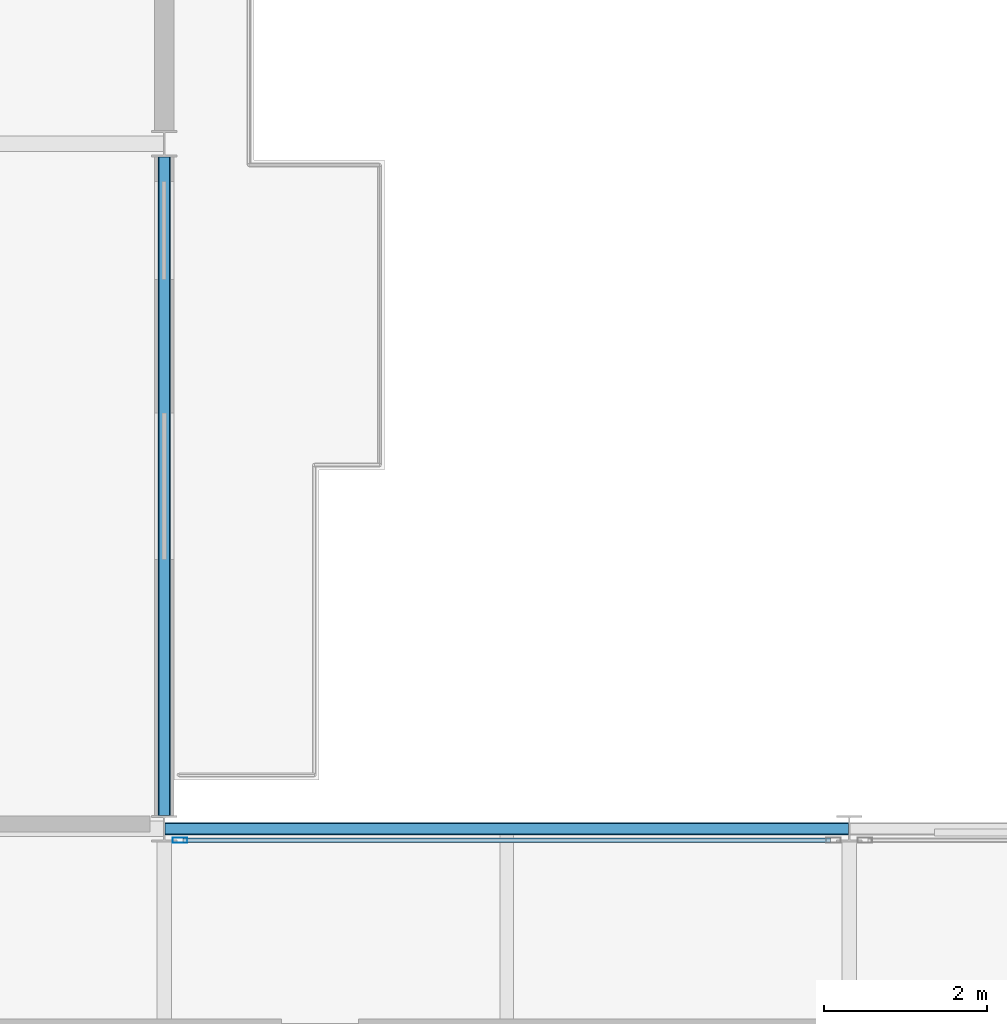
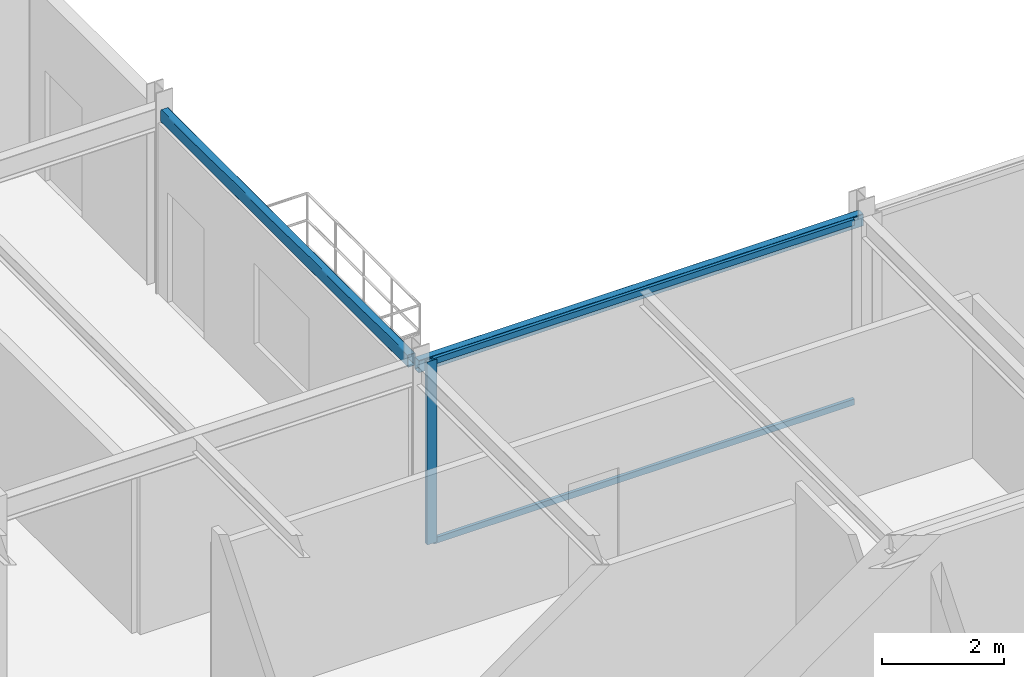
# One storey, part 13 of 26: 3 members, 2 beams, 1 element without a shape of its own.
"""IFC4 building model written with IfcOpenShell, lengths in metres."""

from ifc_helpers import new_model, si_unit, direction, frame, origin, origin_2d, place, context, subcontext, project, spatial, hollow_rectangle, extrude, material, layer, layer_set, material_profile, profile_set, type_object, element, aggregate, save


model = new_model("IFC4")

# Units and contexts
model_context = context("Model", 3, precision=1e-05, world=origin(), true_north=direction((0.0, 1.0)))
body_context = subcontext(model_context, "Body", "Model", "MODEL_VIEW")
ifc_project = project(units=[si_unit("LENGTHUNIT", "METRE"), si_unit("AREAUNIT", "SQUARE_METRE"), si_unit("VOLUMEUNIT", "CUBIC_METRE"), si_unit("PLANEANGLEUNIT", "RADIAN"), si_unit("MASSUNIT", "GRAM", prefix="KILO")], contexts=[model_context])

# Site, building, storey
site_placement = place(None, origin())
site = spatial("IfcSite", under=ifc_project, at=site_placement, CompositionType="ELEMENT")
building_placement = place(site_placement, origin())
building = spatial("IfcBuilding", under=site, at=building_placement, Name="Nerrivon Quay Data Exchange", CompositionType="ELEMENT")
storey_placement = place(building_placement, frame((0.0, 0.0, 282.199951171875)))
storey = spatial("IfcBuildingStorey", under=building, at=storey_placement, Name="L67", CompositionType="ELEMENT", Elevation=282.199951171875)

# Beams
ifc_material_1 = material(Name="Steel Grade C350L0 (350 MPa)", Category="steel")
ifc_material_profile_1 = material_profile(ifc_material_1, hollow_rectangle(XDim=0.14990234375, YDim=0.25, WallThickness=0.009033203125, InnerFilletRadius=0.013427734375, OuterFilletRadius=0.0224609375, at=origin_2d()), Name="250x150x9.0RHS")
ifc_profile_set_1 = profile_set([ifc_material_profile_1], Name="Steel Grade C350L0 (350 MPa)")
beam_type = type_object("IfcBeamType", Name="BM-SP4-250x150RHS", PredefinedType="SPANDREL", material=ifc_profile_set_1)
beam_1_placement = place(storey_placement, frame((25.2080078125, 25.199951171875, 3.525146484375), z_axis=(1.0, 0.0, 0.0), x_axis=(0.0, 1.0, 0.0)))
element("IfcBeam", 1, at=beam_1_placement, inside=storey, type_object=beam_type, Name="L67 EW Girder Y=25.2 (25.2..33.6)", PredefinedType="SPANDREL", context=body_context, shape_type="SweptSolid", body=[
    extrude(hollow_rectangle(XDim=0.14990234375, YDim=0.25, WallThickness=0.009033203125, InnerFilletRadius=0.013427734375, OuterFilletRadius=0.0224609375, at=origin_2d()), origin(), (0.0, 0.0, 1.0), 8.38427734375),
])
beam_2_placement = place(storey_placement, frame((25.199951171875, 25.363525390625, 3.525146484375), z_axis=(0.0, 1.0, 0.0), x_axis=(-1.0, 0.0, 0.0)))
element("IfcBeam", 2, at=beam_2_placement, inside=storey, type_object=beam_type, Name="L67 NS Girder X=25.2 (25.2..33.6)", PredefinedType="SPANDREL", context=body_context, shape_type="SweptSolid", body=[
    extrude(hollow_rectangle(XDim=0.14990234375, YDim=0.25, WallThickness=0.009033203125, InnerFilletRadius=0.013427734375, OuterFilletRadius=0.0224609375, at=origin_2d()), origin(), (0.0, 0.0, 1.0), 8.072998046875),
])

# Curtain wall, members
ifc_material_2 = material(Name="Anodised aluminium 6063-T6", Category="aluminium")
ifc_layer = layer(ifc_material_2, 0.195068359375)
ifc_layer_set = layer_set([ifc_layer], Name="Anodised aluminium 6063-T6")
curtain_wall_type = type_object("IfcCurtainWallType", Name="CW-SYS-06", PredefinedType="NOTDEFINED", material=ifc_layer_set)
curtain_wall_placement = place(storey_placement, origin())
curtain_wall = element("IfcCurtainWall", 3, at=curtain_wall_placement, inside=storey, type_object=curtain_wall_type, Name="L67 Unitised Curtain Wall 24", PredefinedType="NOTDEFINED")
ifc_material_profile_2 = material_profile(ifc_material_2, hollow_rectangle(XDim=0.06494140625, YDim=0.179931640625, WallThickness=0.00341796875, at=origin_2d()), Name="ALU-MULL-180x65")
ifc_profile_set_2 = profile_set([ifc_material_profile_2], Name="Anodised aluminium 6063-T6")
member_type_1 = type_object("IfcMemberType", Name="CWM-180x65", PredefinedType="MULLION", material=ifc_profile_set_2)
member_1_placement = place(storey_placement, frame((25.39306640625, 25.06005859375, 0.0), z_axis=(0.0, 0.0, 1.0), x_axis=(0.0, 1.0, 0.0)))
member_1 = element("IfcMember", 4, at=member_1_placement, type_object=member_type_1, Name="CW06 mullion 1", PredefinedType="MULLION", context=body_context, shape_type="SweptSolid", body=[
    extrude(hollow_rectangle(XDim=0.06494140625, YDim=0.179931640625, WallThickness=0.00341796875, at=origin_2d()), origin(), (0.0, 0.0, 1.0), 3.650146484375),
])
ifc_material_profile_3 = material_profile(ifc_material_2, hollow_rectangle(XDim=0.06005859375, YDim=0.1201171875, WallThickness=0.003173828125, at=origin_2d()), Name="ALU-TRAN-120x60")
ifc_profile_set_3 = profile_set([ifc_material_profile_3], Name="Anodised aluminium 6063-T6")
member_type_2 = type_object("IfcMemberType", Name="CWT-120x60", PredefinedType="USERDEFINED", material=ifc_profile_set_3)
member_2_placement = place(storey_placement, frame((25.430419921875, 25.06005859375, 0.032470703125), z_axis=(1.0, 0.0, 0.0), x_axis=(0.0, 1.0, 0.0)))
member_2 = element("IfcMember", 5, at=member_2_placement, type_object=member_type_2, Name="CW06 transom 1.1", ObjectType="TRANSOM", PredefinedType="USERDEFINED", context=body_context, shape_type="SweptSolid", body=[
    extrude(hollow_rectangle(XDim=0.06005859375, YDim=0.1201171875, WallThickness=0.003173828125, at=origin_2d()), origin(), (0.0, 0.0, 1.0), 7.93896484375),
])
member_3_placement = place(storey_placement, frame((25.430419921875, 25.06005859375, 3.617431640625), z_axis=(1.0, 0.0, 0.0), x_axis=(0.0, 1.0, 0.0)))
member_3 = element("IfcMember", 6, at=member_3_placement, type_object=member_type_2, Name="CW06 transom 1.2", ObjectType="TRANSOM", PredefinedType="USERDEFINED", context=body_context, shape_type="SweptSolid", body=[
    extrude(hollow_rectangle(XDim=0.06005859375, YDim=0.1201171875, WallThickness=0.003173828125, at=origin_2d()), origin(), (0.0, 0.0, 1.0), 7.93896484375),
])
aggregate(curtain_wall, [member_1, member_2, member_3])

save(model, "model.ifc")
